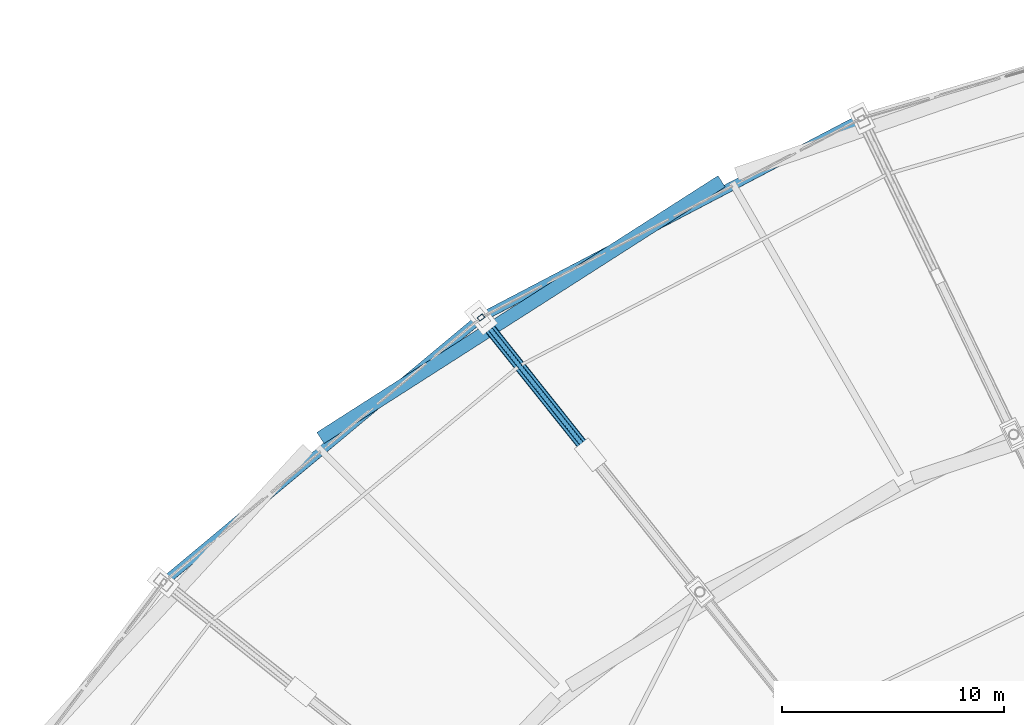
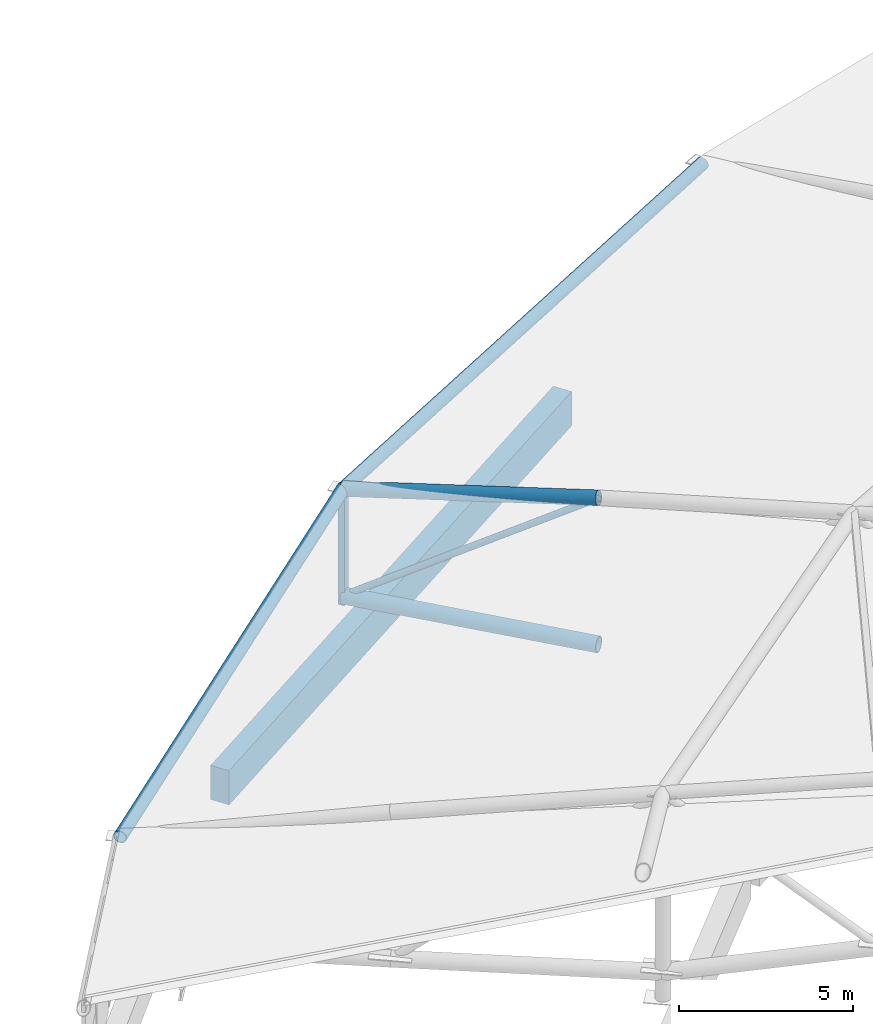
# One storey, part 82 of 108: 6 members, 1 beam.
"""IFC4 building model written with IfcOpenShell, lengths in metres."""

from ifc_helpers import new_model, si_unit, direction, frame, origin, origin_2d, place, context, subcontext, project, spatial, rectangle, hollow_rectangle, hollow_circle, extrude, material, material_profile, profile_set, type_object, element, save


model = new_model("IFC4")

# Units and contexts
model_context = context("Model", 3, precision=1e-05, world=origin(), true_north=direction((0.0, 1.0)))
body_context = subcontext(model_context, "Body", "Model", "MODEL_VIEW")
ifc_project = project(units=[si_unit("LENGTHUNIT", "METRE"), si_unit("AREAUNIT", "SQUARE_METRE"), si_unit("VOLUMEUNIT", "CUBIC_METRE"), si_unit("PLANEANGLEUNIT", "RADIAN"), si_unit("MASSUNIT", "GRAM", prefix="KILO")], contexts=[model_context])

# Site, building, storey
site_placement = place(None, origin())
site = spatial("IfcSite", under=ifc_project, at=site_placement, CompositionType="ELEMENT")
building_placement = place(site_placement, origin())
building = spatial("IfcBuilding", under=site, at=building_placement, Name="Zevraka Park Crest Stadium", CompositionType="ELEMENT")
storey_placement = place(building_placement, frame((0.0, 0.0, 29.39990234375)))
storey = spatial("IfcBuildingStorey", under=building, at=storey_placement, Name="RF", CompositionType="ELEMENT", Elevation=29.39990234375)

# Beam
ifc_material_1 = material(Name="Concrete C40/50", Category="concrete")
ifc_material_profile_1 = material_profile(ifc_material_1, rectangle(XDim=0.60009765625, YDim=1.199951171875, at=origin_2d()), Name="RC 1200x600")
ifc_profile_set_1 = profile_set([ifc_material_profile_1], Name="Concrete C40/50")
beam_type = type_object("IfcBeamType", Name="RB01", PredefinedType="BEAM", material=ifc_profile_set_1)
beam_placement = place(storey_placement, frame((66.530029296875, 157.007080078125, -0.599853515625), z_axis=(-0.842325571453, -0.538969045193, 0.0), x_axis=(0.538969045193, -0.842325571453, 0.0)))
element("IfcBeam", 1, at=beam_placement, inside=storey, type_object=beam_type, Name="Ring Beam RB01 RF-D-08", PredefinedType="BEAM", context=body_context, shape_type="SweptSolid", body=[
    extrude(rectangle(XDim=0.60009765625, YDim=1.199951171875, at=origin_2d()), origin(), (0.0, 0.0, 1.0), 21.443115234375),
])

# Members
ifc_material_2 = material(Name="Steel S355", Category="steel")
ifc_material_profile_2 = material_profile(ifc_material_2, hollow_circle(Radius=0.25390625, WallThickness=0.030029296875, at=origin_2d()), Name="CHS 508.0x30")
ifc_profile_set_2 = profile_set([ifc_material_profile_2], Name="Steel S355")
member_type_1 = type_object("IfcMemberType", Name="TC01", PredefinedType="CHORD", material=ifc_profile_set_2)
member_1_placement = place(storey_placement, frame((55.698974609375, 150.8720703125, 0.25), z_axis=(0.622967457685, -0.781326508049, 0.037953056337), x_axis=(0.781889841529, 0.623416614884, 0.0)))
element("IfcMember", 2, at=member_1_placement, inside=storey, type_object=member_type_1, Name="Roof Truss Bottom Chord TC01 T11-1", PredefinedType="CHORD", context=body_context, shape_type="SweptSolid", body=[
    extrude(hollow_circle(Radius=0.25390625, WallThickness=0.030029296875, at=origin_2d()), origin(), (0.0, 0.0, 1.0), 7.90576171875),
])
ifc_material_3 = material(Name="Steel S355", Category="steel")
ifc_material_profile_3 = material_profile(ifc_material_3, hollow_circle(Radius=0.228515625, WallThickness=0.02490234375, at=origin_2d()), Name="CHS 457.0x25")
ifc_profile_set_3 = profile_set([ifc_material_profile_3], Name="Steel S355")
member_type_2 = type_object("IfcMemberType", Name="TC02", PredefinedType="CHORD", material=ifc_profile_set_3)
member_2_placement = place(storey_placement, frame((55.698974609375, 150.8720703125, 4.0), z_axis=(0.609462360825, -0.764388399902, 0.210394878342), x_axis=(0.781889841529, 0.623416614884, 0.0)))
element("IfcMember", 3, at=member_2_placement, inside=storey, type_object=member_type_2, Name="Roof Truss Top Chord TC02 T11-1", PredefinedType="CHORD", context=body_context, shape_type="SweptSolid", body=[
    extrude(hollow_circle(Radius=0.228515625, WallThickness=0.02490234375, at=origin_2d()), origin(), (0.0, 0.0, 1.0), 8.0810546875),
])
ifc_material_4 = material(Name="Steel S355", Category="steel")
ifc_material_profile_4 = material_profile(ifc_material_4, hollow_circle(Radius=0.203125, WallThickness=0.02001953125, at=origin_2d()), Name="CHS 406.4x20")
ifc_profile_set_4 = profile_set([ifc_material_profile_4], Name="Steel S355")
member_type_3 = type_object("IfcMemberType", Name="TC03", PredefinedType="CHORD", material=ifc_profile_set_4)
member_3_placement = place(storey_placement, frame((72.820068359375, 159.843017578125, 4.0), z_axis=(-0.885772936576, -0.464118847742, 0.0), x_axis=(0.464118847742, -0.885772936576, 0.0)))
element("IfcMember", 4, at=member_3_placement, inside=storey, type_object=member_type_3, Name="Roof Outer Canopy Ring Chord TC03 10", PredefinedType="CHORD", context=body_context, shape_type="SweptSolid", body=[
    extrude(hollow_circle(Radius=0.203125, WallThickness=0.02001953125, at=origin_2d()), origin(), (0.0, 0.0, 1.0), 19.3291015625),
])
member_4_placement = place(storey_placement, frame((55.698974609375, 150.8720703125, 4.0), z_axis=(-0.768009482008, -0.640438471319, 0.0), x_axis=(0.640438471319, -0.768009482008, 0.0)))
element("IfcMember", 5, at=member_4_placement, inside=storey, type_object=member_type_3, Name="Roof Outer Canopy Ring Chord TC03 11", PredefinedType="CHORD", context=body_context, shape_type="SweptSolid", body=[
    extrude(hollow_circle(Radius=0.203125, WallThickness=0.02001953125, at=origin_2d()), origin(), (0.0, 0.0, 1.0), 18.6171875),
])
ifc_material_5 = material(Name="Steel S355", Category="steel")
ifc_material_profile_5 = material_profile(ifc_material_5, hollow_circle(Radius=0.109619140625, WallThickness=0.010009765625, at=origin_2d()), Name="CHS 219.1x10")
ifc_profile_set_5 = profile_set([ifc_material_profile_5], Name="Steel S355")
member_type_4 = type_object("IfcMemberType", Name="WB02", PredefinedType="BRACE", material=ifc_profile_set_5)
member_5_placement = place(storey_placement, frame((55.698974609375, 150.8720703125, 0.25), z_axis=(0.51314818539, -0.643591049351, 0.567863981096), x_axis=(0.781889841529, 0.623416614884, 0.0)))
element("IfcMember", 6, at=member_5_placement, inside=storey, type_object=member_type_4, Name="Roof Truss Web Diagonal WB02 T11-1", PredefinedType="BRACE", context=body_context, shape_type="SweptSolid", body=[
    extrude(hollow_circle(Radius=0.109619140625, WallThickness=0.010009765625, at=origin_2d()), origin(), (0.0, 0.0, 1.0), 9.59765625),
])
ifc_material_6 = material(Name="Steel S355", Category="steel")
ifc_material_profile_6 = material_profile(ifc_material_6, hollow_rectangle(XDim=0.199951171875, YDim=0.300048828125, WallThickness=0.012451171875, at=origin_2d()), Name="RHS 300x200x12.5")
ifc_profile_set_6 = profile_set([ifc_material_profile_6], Name="Steel S355")
member_type_5 = type_object("IfcMemberType", Name="WB03", PredefinedType="BRACE", material=ifc_profile_set_6)
member_6_placement = place(storey_placement, frame((55.698974609375, 150.8720703125, 0.0), z_axis=(0.0, 0.0, 1.0), x_axis=(-0.623470308046, 0.781847027868, 0.0)))
element("IfcMember", 7, at=member_6_placement, inside=storey, type_object=member_type_5, Name="Roof Truss Anchor Strut WB03 T11-0", PredefinedType="BRACE", context=body_context, shape_type="SweptSolid", body=[
    extrude(hollow_rectangle(XDim=0.199951171875, YDim=0.300048828125, WallThickness=0.012451171875, at=origin_2d()), origin(), (0.0, 0.0, 1.0), 4.0),
])

save(model, "model.ifc")
